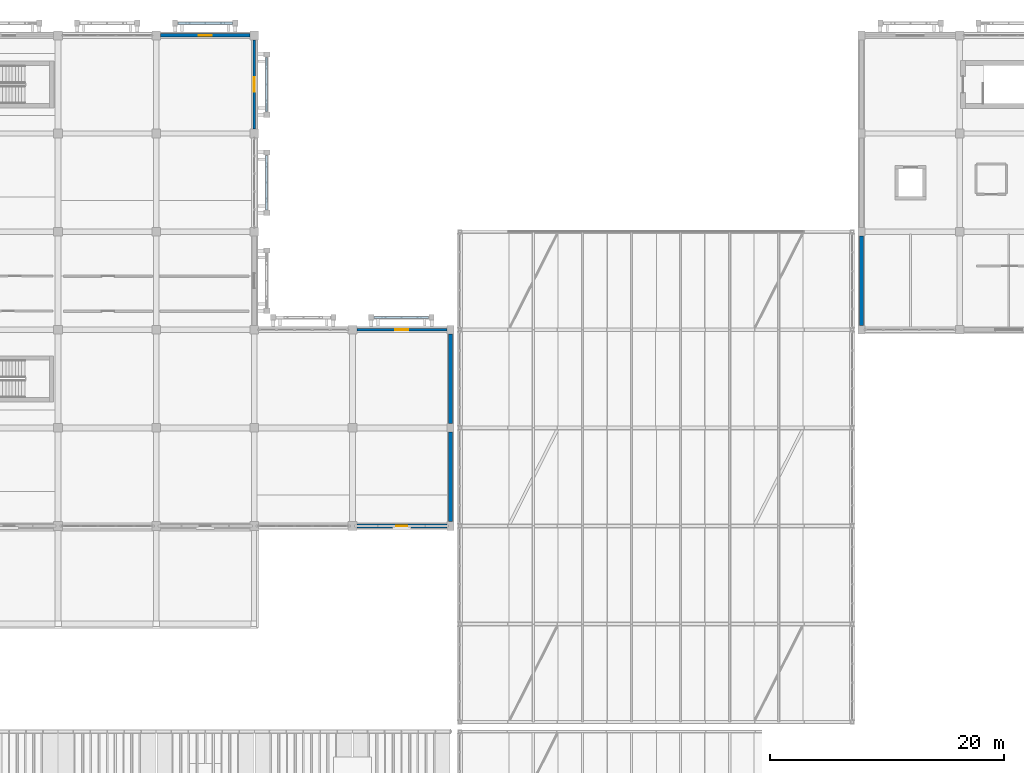
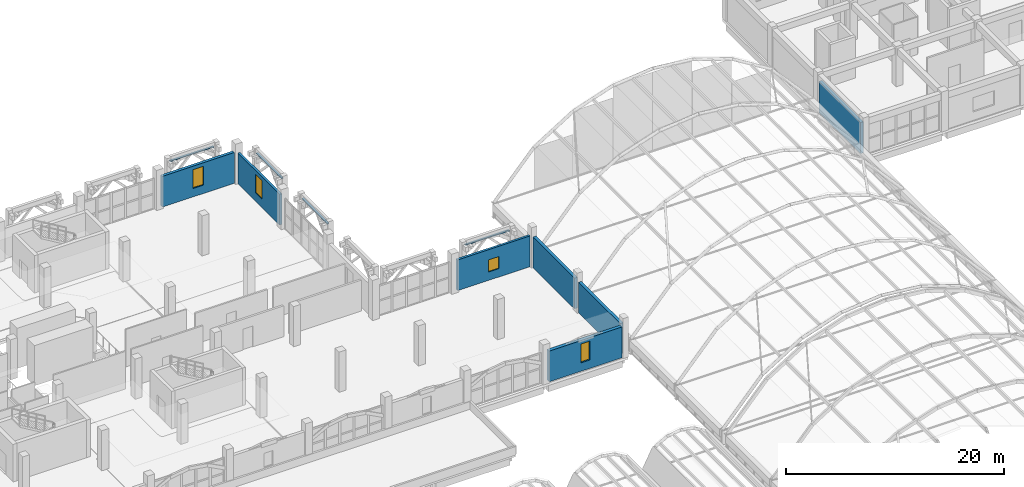
# One storey, part 105 of 114: 11 walls, 4 windows, 4 openings.
"""IFC4 building model written with IfcOpenShell, lengths in metres."""

from ifc_helpers import new_model, si_unit, direction, frame, frame_2d, origin, place, context, subcontext, project, spatial, rectangle, extrude, material, layer, layer_set, type_object, element, fill, save


model = new_model("IFC4")

# Units and contexts
model_context = context("Model", 3, precision=1e-05, world=origin(), true_north=direction((0.0, 1.0)))
body_context = subcontext(model_context, "Body", "Model", "MODEL_VIEW")
ifc_project = project(units=[si_unit("LENGTHUNIT", "METRE"), si_unit("AREAUNIT", "SQUARE_METRE"), si_unit("VOLUMEUNIT", "CUBIC_METRE"), si_unit("PLANEANGLEUNIT", "RADIAN"), si_unit("MASSUNIT", "GRAM", prefix="KILO")], contexts=[model_context])

# Site, building, storey
site_placement = place(None, origin())
site = spatial("IfcSite", under=ifc_project, at=site_placement, CompositionType="ELEMENT")
building_placement = place(site_placement, origin())
building = spatial("IfcBuilding", under=site, at=building_placement, Name="Xazarin Passage Department Store", CompositionType="ELEMENT")
storey_placement = place(building_placement, frame((0.0, 0.0, 14.39990234375)))
storey = spatial("IfcBuildingStorey", under=building, at=storey_placement, Name="L03", CompositionType="ELEMENT", Elevation=14.39990234375)

# Wall, opening, window
ifc_material_1 = material(Name="Precast concrete C40/50", Category="concrete")
ifc_layer_1 = layer(ifc_material_1, 0.239990234375)
ifc_layer_set_1 = layer_set([ifc_layer_1], Name="Precast concrete C40/50")
wall_type_1 = type_object("IfcWallType", Name="ARC-W-EXT240", PredefinedType="SOLIDWALL", material=ifc_layer_set_1)
wall_1_placement = place(storey_placement, frame((59.175048828125, 84.800048828125, 0.0), z_axis=(0.0, 0.0, 1.0), x_axis=(1.0, 0.0, 0.0)))
wall_1 = element("IfcWall", 1, at=wall_1_placement, inside=storey, type_object=wall_type_1, Name="L03 V1 Exterior Wall 039", PredefinedType="SOLIDWALL", context=body_context, shape_type="SweptSolid", body=[
    extrude(rectangle(XDim=7.724853515625, YDim=0.239990234375, at=frame_2d((3.8623046875, 0.0))), origin(), (0.0, 0.0, 1.0), 3.4501953125),
])
opening_1_placement = place(wall_1_placement, frame((3.3125, 0.0, 0.949951171875)))
opening_1 = element("IfcOpeningElement", 2, at=opening_1_placement, cuts=wall_1, Name="Opening W05", PredefinedType="OPENING", context=body_context, shape_type="SweptSolid", body=[
    extrude(rectangle(XDim=1.10009765625, YDim=1.35009765625, at=frame_2d((0.550048828125, 0.675048828125))), frame((0.0, 0.1298828125, 0.0), z_axis=(0.0, -1.0, 0.0), x_axis=(1.0, 0.0, 0.0)), (0.0, 0.0, 1.0), 0.260009765625),
])
ifc_material_2 = material(Name="Low-E laminated safety glass", Category="glass")
window_type_1 = type_object("IfcWindowType", Name="ARC-WIN-W05", PartitioningType="SINGLE_PANEL", PredefinedType="WINDOW", material=ifc_material_2)
window_1_placement = place(opening_1_placement, origin())
window_1 = element("IfcWindow", 3, at=window_1_placement, inside=storey, type_object=window_type_1, Name="L03 V1 Facade Window 0005", OverallHeight=1.35009765625, OverallWidth=1.10009765625, PartitioningType="SINGLE_PANEL", PredefinedType="WINDOW", context=body_context, shape_type="SweptSolid", body=[
    extrude(rectangle(XDim=1.10009765625, YDim=1.35009765625, at=frame_2d((0.550048828125, 0.675048828125))), frame((0.0, 0.030029296875, 0.0), z_axis=(0.0, -1.0, 0.0), x_axis=(1.0, 0.0, 0.0)), (0.0, 0.0, 1.0), 0.06005859375),
])
fill(opening_1, window_1)

wall_2_placement = place(storey_placement, frame((50.39990234375, 101.97509765625, 0.0), z_axis=(0.0, 0.0, 1.0), x_axis=(0.0, 1.0, 0.0)))
wall_2 = element("IfcWall", 4, at=wall_2_placement, inside=storey, type_object=wall_type_1, Name="L03 V1 Exterior Wall 046", PredefinedType="SOLIDWALL", context=body_context, shape_type="SweptSolid", body=[
    extrude(rectangle(XDim=7.64990234375, YDim=0.239990234375, at=frame_2d((3.824951171875, 0.0))), origin(), (0.0, 0.0, 1.0), 3.4501953125),
])
opening_2_placement = place(wall_2_placement, frame((3.199951171875, 0.0, 0.949951171875)))
opening_2 = element("IfcOpeningElement", 5, at=opening_2_placement, cuts=wall_2, Name="Opening W12", PredefinedType="OPENING", context=body_context, shape_type="SweptSolid", body=[
    extrude(rectangle(XDim=1.25, YDim=2.10009765625, at=frame_2d((0.625, 1.050048828125))), frame((0.0, 0.1298828125, 0.0), z_axis=(0.0, -1.0, 0.0), x_axis=(1.0, 0.0, 0.0)), (0.0, 0.0, 1.0), 0.260009765625),
])
window_type_2 = type_object("IfcWindowType", Name="ARC-WIN-W12", PartitioningType="SINGLE_PANEL", PredefinedType="WINDOW", material=ifc_material_2)
window_2_placement = place(opening_2_placement, origin())
window_2 = element("IfcWindow", 6, at=window_2_placement, inside=storey, type_object=window_type_2, Name="L03 V1 Facade Window 0012", OverallHeight=2.10009765625, OverallWidth=1.25, PartitioningType="SINGLE_PANEL", PredefinedType="WINDOW", context=body_context, shape_type="SweptSolid", body=[
    extrude(rectangle(XDim=1.25, YDim=2.10009765625, at=frame_2d((0.625, 1.050048828125))), frame((0.0, 0.030029296875, 0.0), z_axis=(0.0, -1.0, 0.0), x_axis=(1.0, 0.0, 0.0)), (0.0, 0.0, 1.0), 0.06005859375),
])
fill(opening_2, window_2)

ifc_layer_2 = layer(ifc_material_1, 0.300048828125)
ifc_layer_set_2 = layer_set([ifc_layer_2], Name="Precast concrete C40/50")
wall_type_2 = type_object("IfcWallType", Name="ARC-W-EXT300", PredefinedType="SOLIDWALL", material=ifc_layer_set_2)
wall_3_placement = place(storey_placement, frame((42.375, 110.0, 0.0), z_axis=(0.0, 0.0, 1.0), x_axis=(1.0, 0.0, 0.0)))
wall_3 = element("IfcWall", 7, at=wall_3_placement, inside=storey, type_object=wall_type_2, Name="L03 V1 Exterior Wall 042", PredefinedType="SOLIDWALL", context=body_context, shape_type="SweptSolid", body=[
    extrude(rectangle(XDim=7.64990234375, YDim=0.300048828125, at=frame_2d((3.824951171875, 0.0))), origin(), (0.0, 0.0, 1.0), 3.4501953125),
])
opening_3_placement = place(wall_3_placement, frame((3.27490234375, 0.0, 0.949951171875)))
opening_3 = element("IfcOpeningElement", 8, at=opening_3_placement, cuts=wall_3, Name="Opening W08", PredefinedType="OPENING", context=body_context, shape_type="SweptSolid", body=[
    extrude(rectangle(XDim=1.10009765625, YDim=2.10009765625, at=frame_2d((0.550048828125, 1.050048828125))), frame((0.0, 0.159912109375, 0.0), z_axis=(0.0, -1.0, 0.0), x_axis=(1.0, 0.0, 0.0)), (0.0, 0.0, 1.0), 0.320068359375),
])
window_type_3 = type_object("IfcWindowType", Name="ARC-WIN-W08", PartitioningType="SINGLE_PANEL", PredefinedType="WINDOW", material=ifc_material_2)
window_3_placement = place(opening_3_placement, origin())
window_3 = element("IfcWindow", 9, at=window_3_placement, inside=storey, type_object=window_type_3, Name="L03 V1 Facade Window 0008", OverallHeight=2.10009765625, OverallWidth=1.10009765625, PartitioningType="SINGLE_PANEL", PredefinedType="WINDOW", context=body_context, shape_type="SweptSolid", body=[
    extrude(rectangle(XDim=1.10009765625, YDim=2.10009765625, at=frame_2d((0.550048828125, 1.050048828125))), frame((0.0, 0.030029296875, 0.0), z_axis=(0.0, -1.0, 0.0), x_axis=(1.0, 0.0, 0.0)), (0.0, 0.0, 1.0), 0.06005859375),
])
fill(opening_3, window_3)

# Walls
ifc_material_3 = material(Name="Buff Baku clay brick", Category="masonry")
ifc_layer_3 = layer(ifc_material_3, 0.320068359375)
ifc_layer_set_3 = layer_set([ifc_layer_3], Name="Buff Baku clay brick")
wall_type_3 = type_object("IfcWallType", Name="ARC-W-EXT320", PredefinedType="SOLIDWALL", material=ifc_layer_set_3)
wall_4_placement = place(storey_placement, frame((67.199951171875, 68.375, 0.0), z_axis=(0.0, 0.0, 1.0), x_axis=(0.0, 1.0, 0.0)))
element("IfcWall", 10, at=wall_4_placement, inside=storey, type_object=wall_type_3, Name="L03 V1 Exterior Wall 047", PredefinedType="SOLIDWALL", context=body_context, shape_type="SweptSolid", body=[
    extrude(rectangle(XDim=7.64990234375, YDim=0.320068359375, at=frame_2d((3.824951171875, 0.0))), origin(), (0.0, 0.0, 1.0), 3.4501953125),
])
wall_5_placement = place(storey_placement, frame((67.199951171875, 76.77490234375, 0.0), z_axis=(0.0, 0.0, 1.0), x_axis=(0.0, 1.0, 0.0)))
element("IfcWall", 11, at=wall_5_placement, inside=storey, type_object=wall_type_3, Name="L03 V1 Exterior Wall 048", PredefinedType="SOLIDWALL", context=body_context, shape_type="SweptSolid", body=[
    extrude(rectangle(XDim=7.650146484375, YDim=0.320068359375, at=frame_2d((3.8251953125, 0.0))), origin(), (0.0, 0.0, 1.0), 3.4501953125),
])
wall_6_placement = place(storey_placement, frame((102.39990234375, 85.175048828125, 0.0), z_axis=(0.0, 0.0, 1.0), x_axis=(0.0, 1.0, 0.0)))
element("IfcWall", 12, at=wall_6_placement, inside=storey, type_object=wall_type_3, Name="L03 V4 Exterior Wall 316", PredefinedType="SOLIDWALL", context=body_context, shape_type="SweptSolid", body=[
    extrude(rectangle(XDim=7.64990234375, YDim=0.320068359375, at=frame_2d((3.824951171875, 0.0))), origin(), (0.0, 0.0, 1.0), 3.489990234375),
])

# Wall, opening, window
ifc_material_4 = material(Name="Absheron limestone cladding", Category="masonry")
ifc_layer_4 = layer(ifc_material_4, 0.360107421875)
ifc_layer_set_4 = layer_set([ifc_layer_4], Name="Absheron limestone cladding")
wall_type_4 = type_object("IfcWallType", Name="ARC-W-EXT360", PredefinedType="SOLIDWALL", material=ifc_layer_set_4)
wall_7_placement = place(storey_placement, frame((59.175048828125, 68.0, 0.0), z_axis=(0.0, 0.0, 1.0), x_axis=(1.0, 0.0, 0.0)))
wall_7 = element("IfcWall", 13, at=wall_7_placement, inside=storey, type_object=wall_type_4, Name="L03 V1 Exterior Wall 038", PredefinedType="SOLIDWALL", context=body_context, shape_type="SweptSolid", body=[
    extrude(rectangle(XDim=7.724853515625, YDim=0.360107421875, at=frame_2d((3.8623046875, 0.0))), origin(), (0.0, 0.0, 1.0), 3.4501953125),
])
opening_4_placement = place(wall_7_placement, frame((3.387451171875, 0.0, 0.949951171875)))
opening_4 = element("IfcOpeningElement", 14, at=opening_4_placement, cuts=wall_7, Name="Opening W04", PredefinedType="OPENING", context=body_context, shape_type="SweptSolid", body=[
    extrude(rectangle(XDim=0.949951171875, YDim=2.10009765625, at=frame_2d((0.47509765625, 1.050048828125))), frame((0.0, 0.18994140625, 0.0), z_axis=(0.0, -1.0, 0.0), x_axis=(1.0, 0.0, 0.0)), (0.0, 0.0, 1.0), 0.380126953125),
])
window_type_4 = type_object("IfcWindowType", Name="ARC-WIN-W04", PartitioningType="SINGLE_PANEL", PredefinedType="WINDOW", material=ifc_material_2)
window_4_placement = place(opening_4_placement, origin())
window_4 = element("IfcWindow", 15, at=window_4_placement, inside=storey, type_object=window_type_4, Name="L03 V1 Facade Window 0004", OverallHeight=2.10009765625, OverallWidth=0.949951171875, PartitioningType="SINGLE_PANEL", PredefinedType="WINDOW", context=body_context, shape_type="SweptSolid", body=[
    extrude(rectangle(XDim=0.949951171875, YDim=2.10009765625, at=frame_2d((0.47509765625, 1.050048828125))), frame((0.0, 0.030029296875, 0.0), z_axis=(0.0, -1.0, 0.0), x_axis=(1.0, 0.0, 0.0)), (0.0, 0.0, 1.0), 0.06005859375),
])
fill(opening_4, window_4)

# Walls
ifc_layer_5 = layer(ifc_material_1, 0.18994140625)
ifc_layer_set_5 = layer_set([ifc_layer_5], Name="Precast concrete C40/50")
wall_type_5 = type_object("IfcWallType", Name="ARC-W-PAR190", PredefinedType="PARAPET", material=ifc_layer_set_5)
wall_8_placement = place(storey_placement, frame((43.8701171875, 111.050048828125, 3.880126953125), z_axis=(0.0, 0.0, 1.0), x_axis=(1.0, 0.0, 0.0)))
element("IfcWall", 16, at=wall_8_placement, inside=storey, type_object=wall_type_5, Name="L03 V1 Pierced-Arch Spandrel Lintel 0026", PredefinedType="PARAPET", context=body_context, shape_type="SweptSolid", body=[
    extrude(rectangle(XDim=4.659912109375, YDim=0.18994140625, at=frame_2d((2.330078125, 0.0))), origin(), (0.0, 0.0, 1.0), 0.119873046875),
])
wall_9_placement = place(storey_placement, frame((60.669921875, 85.85009765625, 3.880126953125), z_axis=(0.0, 0.0, 1.0), x_axis=(1.0, 0.0, 0.0)))
element("IfcWall", 17, at=wall_9_placement, inside=storey, type_object=wall_type_5, Name="L03 V1 Pierced-Arch Spandrel Lintel 0036", PredefinedType="PARAPET", context=body_context, shape_type="SweptSolid", body=[
    extrude(rectangle(XDim=4.66015625, YDim=0.18994140625, at=frame_2d((2.330078125, 0.0))), origin(), (0.0, 0.0, 1.0), 0.119873046875),
])
for number, where, z_axis, x_axis, name in (
    (18, (51.449951171875, 95.070068359375, 3.880126953125), (0.0, 0.0, 1.0), (0.0, 1.0, 0.0), "L03 V1 Pierced-Arch Spandrel Lintel 0078"),
    (19, (51.449951171875, 103.469970703125, 3.880126953125), (0.0, 0.0, 1.0), (0.0, 1.0, 0.0), "L03 V1 Pierced-Arch Spandrel Lintel 0082"),
):
    element("IfcWall", number, at=place(storey_placement, frame(where, z_axis=z_axis, x_axis=x_axis)), inside=storey, type_object=wall_type_5, Name=name, PredefinedType="PARAPET", context=body_context, shape_type="SweptSolid", body=[
        extrude(rectangle(XDim=4.659912109375, YDim=0.18994140625, at=frame_2d((2.330078125, 0.0))), origin(), (0.0, 0.0, 1.0), 0.119873046875),
    ])

save(model, "model.ifc")
